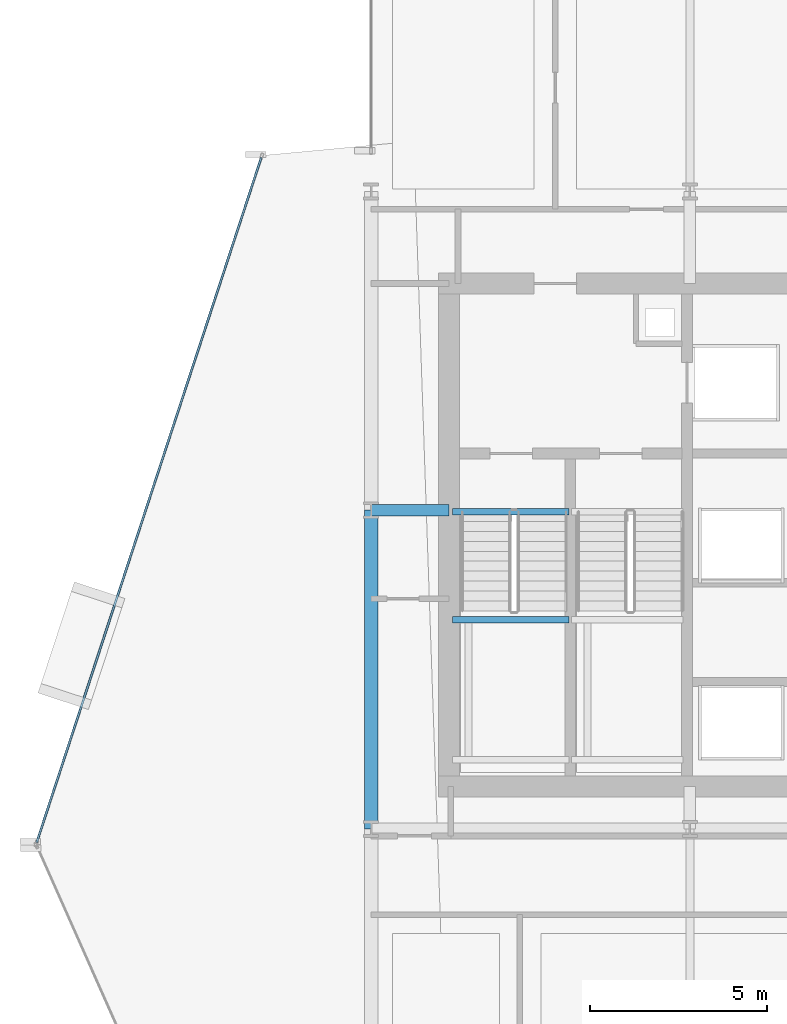
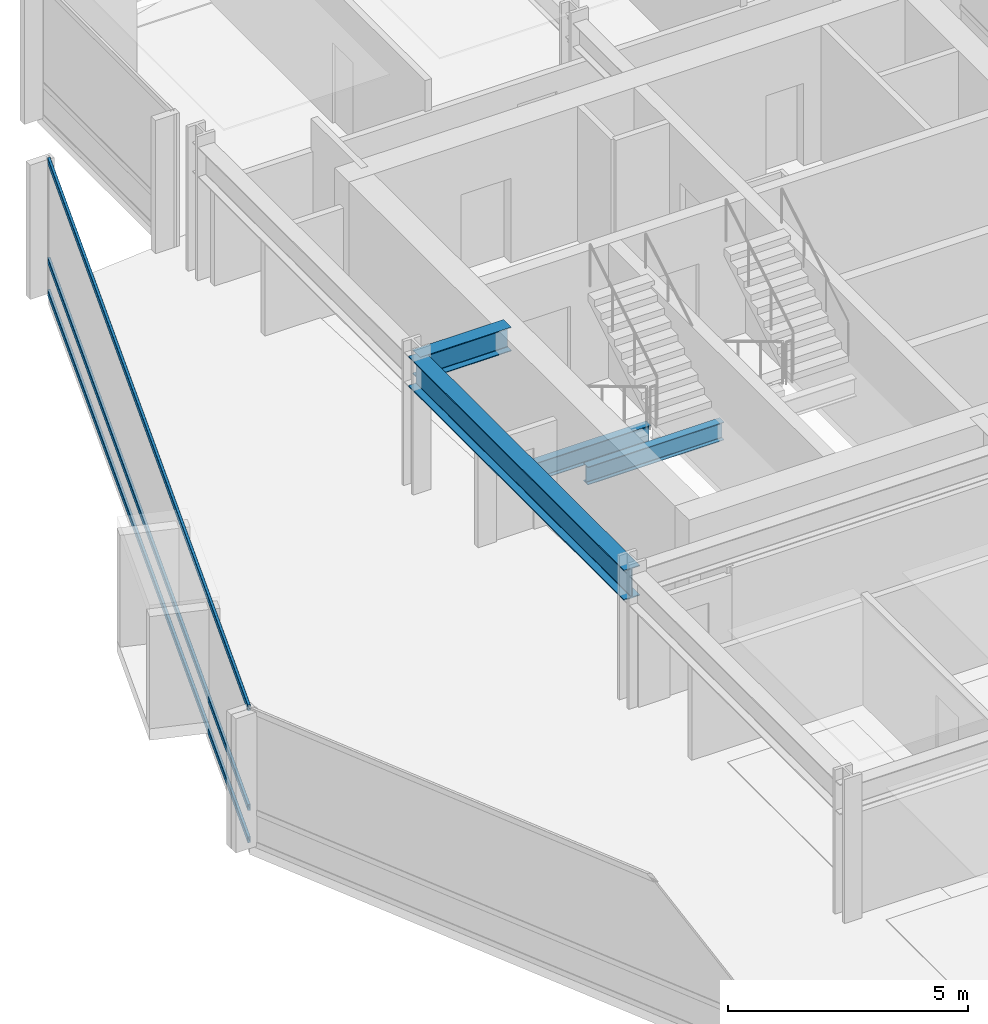
# One storey, part 18 of 34: 4 beams, 3 members, 1 element without a shape of its own.
"""IFC4 building model written with IfcOpenShell, lengths in metres."""

from ifc_helpers import new_model, si_unit, direction, frame, origin, origin_2d, place, context, subcontext, project, spatial, hollow_rectangle, i_section, extrude, material, layer, layer_set, material_profile, profile_set, type_object, element, aggregate, save


model = new_model("IFC4")

# Units and contexts
model_context = context("Model", 3, precision=1e-05, world=origin(), true_north=direction((0.0, 1.0)))
body_context = subcontext(model_context, "Body", "Model", "MODEL_VIEW")
ifc_project = project(units=[si_unit("LENGTHUNIT", "METRE"), si_unit("AREAUNIT", "SQUARE_METRE"), si_unit("VOLUMEUNIT", "CUBIC_METRE"), si_unit("PLANEANGLEUNIT", "RADIAN"), si_unit("MASSUNIT", "GRAM", prefix="KILO")], contexts=[model_context])

# Site, building, storey
site_placement = place(None, origin())
site = spatial("IfcSite", under=ifc_project, at=site_placement, CompositionType="ELEMENT")
building_placement = place(site_placement, origin())
building = spatial("IfcBuilding", under=site, at=building_placement, Name="Solvaryn Broadcast Tower", CompositionType="ELEMENT")
storey_placement = place(building_placement, frame((0.0, 0.0, 76.699951171875)))
storey = spatial("IfcBuildingStorey", under=building, at=storey_placement, Name="L18", CompositionType="ELEMENT", Elevation=76.699951171875)

# Beams
ifc_material_1 = material(Name="Steel ASTM A992 Grade 50", Category="steel")
ifc_material_profile_1 = material_profile(ifc_material_1, i_section(OverallWidth=0.323974609375, OverallDepth=0.611083984375, WebThickness=0.0126953125, FlangeThickness=0.01904296875, FilletRadius=0.014892578125, at=origin_2d()))
ifc_profile_set_1 = profile_set([ifc_material_profile_1], Name="Steel ASTM A992 Grade 50")
beam_type_1 = type_object("IfcBeamType", Name="BM-B1-W24X104", PredefinedType="BEAM", material=ifc_profile_set_1)
beam_1_placement = place(storey_placement, frame((9.0, 36.0, 3.114501953125), z_axis=(1.0, 0.0, 0.0), x_axis=(0.0, 1.0, 0.0)))
element("IfcBeam", 1, at=beam_1_placement, inside=storey, type_object=beam_type_1, Name="L18 Core Tie Beam CTW1", PredefinedType="BEAM", context=body_context, shape_type="SweptSolid", body=[
    extrude(i_section(OverallWidth=0.323974609375, OverallDepth=0.611083984375, WebThickness=0.0126953125, FlangeThickness=0.01904296875, FilletRadius=0.014892578125, at=origin_2d()), origin(), (0.0, 0.0, 1.0), 2.199951171875),
])
ifc_material_2 = material(Name="Steel ASTM A992 Grade 50", Category="steel")
ifc_material_profile_2 = material_profile(ifc_material_2, i_section(OverallWidth=0.18994140625, OverallDepth=0.45703125, WebThickness=0.009033203125, FlangeThickness=0.014404296875, FilletRadius=0.011962890625, at=origin_2d()))
ifc_profile_set_2 = profile_set([ifc_material_profile_2], Name="Steel ASTM A992 Grade 50")
beam_type_2 = type_object("IfcBeamType", Name="BM-B4-W18X50", PredefinedType="BEAM", material=ifc_profile_set_2)
for number, where, z_axis, x_axis, name in (
    (2, (11.300048828125, 35.9599609375, -0.508544921875), (1.0, 0.0, 0.0), (0.0, 1.0, 0.0), "L18 ST1 Stair Well Trimmer Beam"),
    (3, (11.300048828125, 32.909912109375, 1.421630859375), (1.0, 0.0, 0.0), (0.0, 1.0, 0.0), "L18 ST1 Landing Support Beam 1B"),
):
    element("IfcBeam", number, at=place(storey_placement, frame(where, z_axis=z_axis, x_axis=x_axis)), inside=storey, type_object=beam_type_2, Name=name, PredefinedType="BEAM", context=body_context, shape_type="SweptSolid", body=[
        extrude(i_section(OverallWidth=0.18994140625, OverallDepth=0.45703125, WebThickness=0.009033203125, FlangeThickness=0.014404296875, FilletRadius=0.011962890625, at=origin_2d()), origin(), (0.0, 0.0, 1.0), 3.280029296875),
    ])
ifc_material_3 = material(Name="Steel ASTM A992 Grade 50", Category="steel")
ifc_material_profile_3 = material_profile(ifc_material_3, i_section(OverallWidth=0.381103515625, OverallDepth=0.77294921875, WebThickness=0.0166015625, FlangeThickness=0.027099609375, FilletRadius=0.01806640625, at=origin_2d()))
ifc_profile_set_3 = profile_set([ifc_material_profile_3], Name="Steel ASTM A992 Grade 50")
beam_type_3 = type_object("IfcBeamType", Name="BM-SP1-W30X173", PredefinedType="USERDEFINED", material=ifc_profile_set_3)
beam_2_placement = place(storey_placement, frame((9.0, 27.0, 3.033447265625), z_axis=(0.0, 1.0, 0.0), x_axis=(-1.0, 0.0, 0.0)))
element("IfcBeam", 4, at=beam_2_placement, inside=storey, type_object=beam_type_3, Name="L18 Spandrel Beam Y (27-36 @ X=9)", ObjectType="SPANDREL", PredefinedType="USERDEFINED", context=body_context, shape_type="SweptSolid", body=[
    extrude(i_section(OverallWidth=0.381103515625, OverallDepth=0.77294921875, WebThickness=0.0166015625, FlangeThickness=0.027099609375, FilletRadius=0.01806640625, at=origin_2d()), origin(), (0.0, 0.0, 1.0), 9.0),
])

# Curtain wall, members
ifc_material_4 = material(Name="Aluminium and Terracotta Unitised Curtain Wall", Category="masonry")
ifc_layer = layer(ifc_material_4, 0.199951171875)
ifc_layer_set = layer_set([ifc_layer], Name="CW-SYS2-LOWMID")
curtain_wall_type = type_object("IfcCurtainWallType", Name="CW-SYS2-LOWMID", PredefinedType="NOTDEFINED", material=ifc_layer_set)
curtain_wall_placement = place(storey_placement, origin())
curtain_wall = element("IfcCurtainWall", 5, at=curtain_wall_placement, inside=storey, type_object=curtain_wall_type, Name="L18 Curtain Wall DR1", PredefinedType="NOTDEFINED")
ifc_material_5 = material(Name="Anodised Aluminium 6063-T6", Category="aluminium")
ifc_material_profile_4 = material_profile(ifc_material_5, hollow_rectangle(XDim=0.06494140625, YDim=0.14990234375, WallThickness=0.00390625, InnerFilletRadius=0.00390625, OuterFilletRadius=0.008056640625, at=origin_2d()))
ifc_profile_set_4 = profile_set([ifc_material_profile_4], Name="Anodised Aluminium 6063-T6")
member_type = type_object("IfcMemberType", Name="CW-TRN-150", PredefinedType="USERDEFINED", material=ifc_profile_set_4)
member_1_placement = place(storey_placement, frame((5.897216796875, 45.958984375, 0.030029296875), z_axis=(-0.311589549406, -0.950216792475, 0.0), x_axis=(0.950216792475, -0.311589549406, 0.0)))
member_1 = element("IfcMember", 6, at=member_1_placement, type_object=member_type, Name="CWS2 transom 1.1", ObjectType="TRANSOM", PredefinedType="USERDEFINED", context=body_context, shape_type="SweptSolid", body=[
    extrude(hollow_rectangle(XDim=0.06494140625, YDim=0.14990234375, WallThickness=0.00390625, InnerFilletRadius=0.00390625, OuterFilletRadius=0.008056640625, at=origin_2d()), origin(), (0.0, 0.0, 1.0), 20.35546875),
])
member_2_placement = place(storey_placement, frame((5.897216796875, 45.958984375, 0.85009765625), z_axis=(-0.311589549406, -0.950216792475, 0.0), x_axis=(0.950216792475, -0.311589549406, 0.0)))
member_2 = element("IfcMember", 7, at=member_2_placement, type_object=member_type, Name="CWS2 transom 1.2", ObjectType="TRANSOM", PredefinedType="USERDEFINED", context=body_context, shape_type="SweptSolid", body=[
    extrude(hollow_rectangle(XDim=0.06494140625, YDim=0.14990234375, WallThickness=0.00390625, InnerFilletRadius=0.00390625, OuterFilletRadius=0.008056640625, at=origin_2d()), origin(), (0.0, 0.0, 1.0), 20.35546875),
])
member_3_placement = place(storey_placement, frame((5.897216796875, 45.958984375, 3.39013671875), z_axis=(-0.311589549406, -0.950216792475, 0.0), x_axis=(0.950216792475, -0.311589549406, 0.0)))
member_3 = element("IfcMember", 8, at=member_3_placement, type_object=member_type, Name="CWS2 transom 1.3", ObjectType="TRANSOM", PredefinedType="USERDEFINED", context=body_context, shape_type="SweptSolid", body=[
    extrude(hollow_rectangle(XDim=0.06494140625, YDim=0.14990234375, WallThickness=0.00390625, InnerFilletRadius=0.00390625, OuterFilletRadius=0.008056640625, at=origin_2d()), origin(), (0.0, 0.0, 1.0), 20.35546875),
])
aggregate(curtain_wall, [member_1, member_2, member_3])

save(model, "model.ifc")
